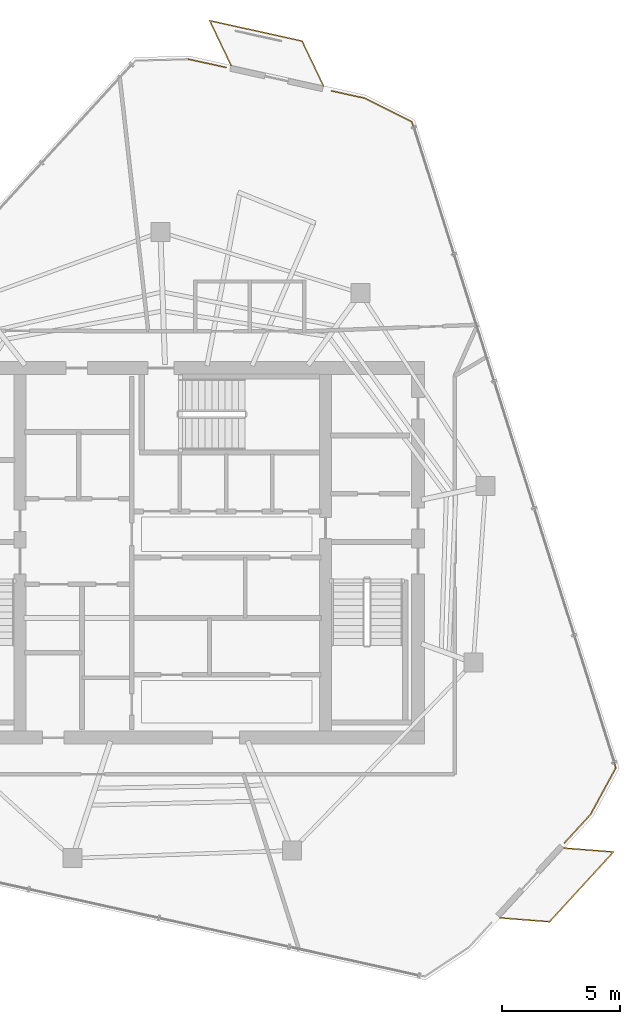
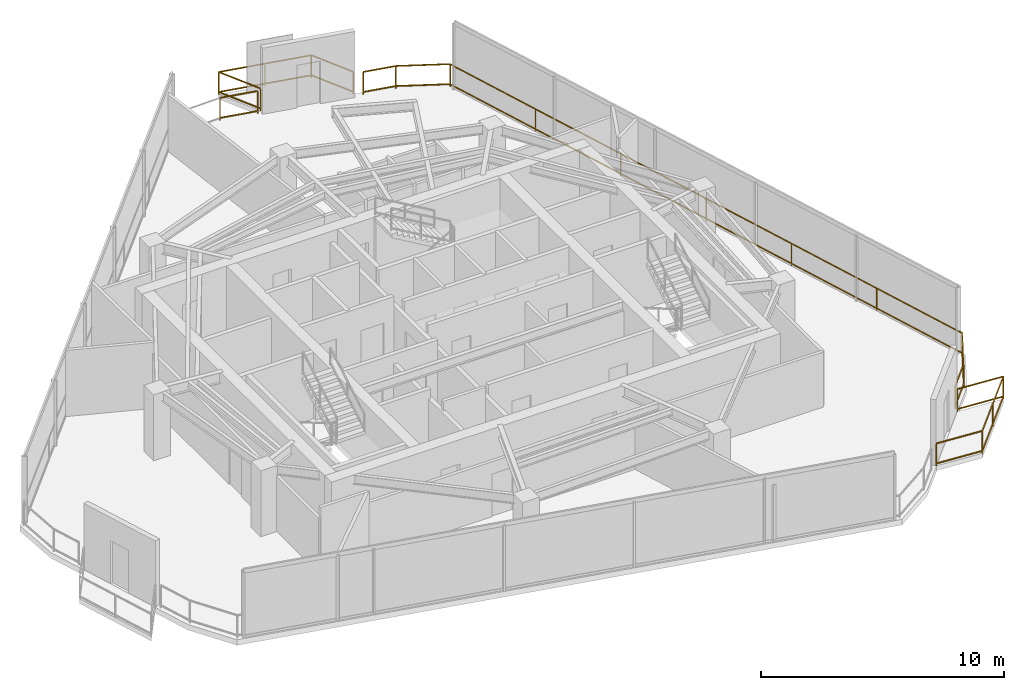
# One storey, part 18 of 18: 4 railings.
"""IFC4 building model written with IfcOpenShell, lengths in metres."""

from ifc_helpers import new_model, si_unit, direction, frame, origin, origin_2d, place, context, subcontext, project, spatial, rectangle, extrude, material, type_object, element, save


model = new_model("IFC4")

# Units and contexts
model_context = context("Model", 3, precision=1e-05, world=origin(), true_north=direction((0.0, 1.0)))
body_context = subcontext(model_context, "Body", "Model", "MODEL_VIEW")
ifc_project = project(units=[si_unit("LENGTHUNIT", "METRE"), si_unit("AREAUNIT", "SQUARE_METRE"), si_unit("VOLUMEUNIT", "CUBIC_METRE"), si_unit("PLANEANGLEUNIT", "RADIAN"), si_unit("MASSUNIT", "GRAM", prefix="KILO")], contexts=[model_context])

# Site, building, storey
site_placement = place(None, origin())
site = spatial("IfcSite", under=ifc_project, at=site_placement, CompositionType="ELEMENT")
building_placement = place(site_placement, origin())
building = spatial("IfcBuilding", under=site, at=building_placement, Name="Qarnah Convention Tower", CompositionType="ELEMENT")
storey_placement = place(building_placement, frame((0.0, 0.0, 246.300048828125)))
storey = spatial("IfcBuildingStorey", under=building, at=storey_placement, Name="L66", CompositionType="ELEMENT", Elevation=246.300048828125)

# Railings
ifc_material = material(Name="Black anodised aluminium", Category="aluminium")
railing_type = type_object("IfcRailingType", Name="RL-EXT-GUARD-1150", PredefinedType="GUARDRAIL", material=ifc_material)
railing_1_placement = place(storey_placement, frame((37.923095703125, 47.23388671875, 0.0)))
element("IfcRailing", 1, at=railing_1_placement, inside=storey, type_object=railing_type, Name="L66 slab-edge perimeter safety guard 01", PredefinedType="GUARDRAIL", context=body_context, shape_type="SweptSolid", body=[
    extrude(rectangle(XDim=0.048095703125, YDim=0.048095703125, at=origin_2d()), frame((0.0, 0.0, 1.1259765625), z_axis=(0.976339073973, -0.216245260373, 0.0), x_axis=(0.216245260373, 0.976339073973, 0.0)), (0.0, 0.0, 1.0), 1.622314453125),
    extrude(rectangle(XDim=0.048095703125, YDim=0.048095703125, at=origin_2d()), frame((0.0, 0.0, 0.1201171875), z_axis=(0.976339073973, -0.216245260373, 0.0), x_axis=(0.216245260373, 0.976339073973, 0.0)), (0.0, 0.0, 1.0), 1.622314453125),
    extrude(rectangle(XDim=0.0419921875, YDim=0.0419921875, at=origin_2d()), origin(), (0.0, 0.0, 1.0), 1.101806640625),
    extrude(rectangle(XDim=0.0419921875, YDim=0.0419921875, at=origin_2d()), frame((1.583984375, -0.350830078125, 0.0)), (0.0, 0.0, 1.0), 1.101806640625),
])
railing_2_placement = place(storey_placement, frame((43.95703125, 45.89697265625, 0.0)))
element("IfcRailing", 2, at=railing_2_placement, inside=storey, type_object=railing_type, Name="L66 slab-edge perimeter safety guard 02", PredefinedType="GUARDRAIL", context=body_context, shape_type="SweptSolid", body=[
    extrude(rectangle(XDim=0.048095703125, YDim=0.048095703125, at=origin_2d()), frame((0.0, 0.0, 1.1259765625), z_axis=(0.976410264442, -0.215923587161, 0.0), x_axis=(0.215923587161, 0.976410264442, 0.0)), (0.0, 0.0, 1.0), 1.412109375),
    extrude(rectangle(XDim=0.048095703125, YDim=0.048095703125, at=origin_2d()), frame((0.0, 0.0, 0.1201171875), z_axis=(0.976410264442, -0.215923587161, 0.0), x_axis=(0.215923587161, 0.976410264442, 0.0)), (0.0, 0.0, 1.0), 1.412109375),
    extrude(rectangle(XDim=0.048095703125, YDim=0.048095703125, at=origin_2d()), frame((1.37890625, -0.304931640625, 1.1259765625), z_axis=(0.895145726047, -0.445773629928, 0.0), x_axis=(0.445773629928, 0.895145726047, 0.0)), (0.0, 0.0, 1.0), 2.239013671875),
    extrude(rectangle(XDim=0.048095703125, YDim=0.048095703125, at=origin_2d()), frame((1.37890625, -0.304931640625, 0.1201171875), z_axis=(0.895145726047, -0.445773629928, 0.0), x_axis=(0.445773629928, 0.895145726047, 0.0)), (0.0, 0.0, 1.0), 2.239013671875),
    extrude(rectangle(XDim=0.048095703125, YDim=0.048095703125, at=origin_2d()), frame((3.383056640625, -1.302978515625, 1.1259765625), z_axis=(0.301065171221, -0.953603566834, 0.0), x_axis=(0.953603566834, 0.301065171221, 0.0)), (0.0, 0.0, 1.0), 28.5947265625),
    extrude(rectangle(XDim=0.048095703125, YDim=0.048095703125, at=origin_2d()), frame((3.383056640625, -1.302978515625, 0.1201171875), z_axis=(0.301065171221, -0.953603566834, 0.0), x_axis=(0.953603566834, 0.301065171221, 0.0)), (0.0, 0.0, 1.0), 28.5947265625),
    extrude(rectangle(XDim=0.048095703125, YDim=0.048095703125, at=origin_2d()), frame((11.991943359375, -28.571044921875, 1.1259765625), z_axis=(-0.476925824603, -0.878943546439, 0.0), x_axis=(0.878943546439, -0.476925824603, 0.0)), (0.0, 0.0, 1.0), 2.239013671875),
    extrude(rectangle(XDim=0.048095703125, YDim=0.048095703125, at=origin_2d()), frame((11.991943359375, -28.571044921875, 0.1201171875), z_axis=(-0.476925824603, -0.878943546439, 0.0), x_axis=(0.878943546439, -0.476925824603, 0.0)), (0.0, 0.0, 1.0), 2.239013671875),
    extrude(rectangle(XDim=0.048095703125, YDim=0.048095703125, at=origin_2d()), frame((10.924072265625, -30.5390625, 1.1259765625), z_axis=(-0.675391091725, -0.737459743456, 0.0), x_axis=(0.737459743456, -0.675391091725, 0.0)), (0.0, 0.0, 1.0), 1.62451171875),
    extrude(rectangle(XDim=0.048095703125, YDim=0.048095703125, at=origin_2d()), frame((10.924072265625, -30.5390625, 0.1201171875), z_axis=(-0.675391091725, -0.737459743456, 0.0), x_axis=(0.737459743456, -0.675391091725, 0.0)), (0.0, 0.0, 1.0), 1.62451171875),
    extrude(rectangle(XDim=0.0419921875, YDim=0.0419921875, at=origin_2d()), origin(), (0.0, 0.0, 1.0), 1.101806640625),
    extrude(rectangle(XDim=0.0419921875, YDim=0.0419921875, at=origin_2d()), frame((1.37890625, -0.304931640625, 0.0)), (0.0, 0.0, 1.0), 1.101806640625),
    extrude(rectangle(XDim=0.0419921875, YDim=0.0419921875, at=origin_2d()), frame((3.383056640625, -1.302978515625, 0.0)), (0.0, 0.0, 1.0), 1.101806640625),
    extrude(rectangle(XDim=0.0419921875, YDim=0.0419921875, at=origin_2d()), frame((4.81787109375, -5.84765625, 0.0)), (0.0, 0.0, 1.0), 1.101806640625),
    extrude(rectangle(XDim=0.0419921875, YDim=0.0419921875, at=origin_2d()), frame((6.252685546875, -10.392333984375, 0.0)), (0.0, 0.0, 1.0), 1.101806640625),
    extrude(rectangle(XDim=0.0419921875, YDim=0.0419921875, at=origin_2d()), frame((7.6875, -14.93701171875, 0.0)), (0.0, 0.0, 1.0), 1.101806640625),
    extrude(rectangle(XDim=0.0419921875, YDim=0.0419921875, at=origin_2d()), frame((9.122314453125, -19.481689453125, 0.0)), (0.0, 0.0, 1.0), 1.101806640625),
    extrude(rectangle(XDim=0.0419921875, YDim=0.0419921875, at=origin_2d()), frame((10.55712890625, -24.0263671875, 0.0)), (0.0, 0.0, 1.0), 1.101806640625),
    extrude(rectangle(XDim=0.0419921875, YDim=0.0419921875, at=origin_2d()), frame((11.991943359375, -28.571044921875, 0.0)), (0.0, 0.0, 1.0), 1.101806640625),
    extrude(rectangle(XDim=0.0419921875, YDim=0.0419921875, at=origin_2d()), frame((10.924072265625, -30.5390625, 0.0)), (0.0, 0.0, 1.0), 1.101806640625),
    extrude(rectangle(XDim=0.0419921875, YDim=0.0419921875, at=origin_2d()), frame((9.826904296875, -31.737060546875, 0.0)), (0.0, 0.0, 1.0), 1.101806640625),
])
railing_3_placement = place(storey_placement, frame((39.7060546875, 46.97705078125, 0.0)))
element("IfcRailing", 3, at=railing_3_placement, inside=storey, type_object=railing_type, Name="L66 balcony safety guard BAL-L66-C1", PredefinedType="GUARDRAIL", context=body_context, shape_type="SweptSolid", body=[
    extrude(rectangle(XDim=0.048095703125, YDim=0.048095703125, at=origin_2d()), frame((0.0, 0.0, 1.1259765625), z_axis=(-0.430951942588, 0.902374879515, 0.0), x_axis=(-0.902374879515, -0.430951942588, 0.0)), (0.0, 0.0, 1.0), 2.09326171875),
    extrude(rectangle(XDim=0.048095703125, YDim=0.048095703125, at=origin_2d()), frame((0.0, 0.0, 0.1201171875), z_axis=(-0.430951942588, 0.902374879515, 0.0), x_axis=(-0.902374879515, -0.430951942588, 0.0)), (0.0, 0.0, 1.0), 2.09326171875),
    extrude(rectangle(XDim=0.048095703125, YDim=0.048095703125, at=origin_2d()), frame((-0.902099609375, 1.888916015625, 1.1259765625), z_axis=(0.976386294002, -0.21603195339, 0.0), x_axis=(0.21603195339, 0.976386294002, 0.0)), (0.0, 0.0, 1.0), 3.99951171875),
    extrude(rectangle(XDim=0.048095703125, YDim=0.048095703125, at=origin_2d()), frame((-0.902099609375, 1.888916015625, 0.1201171875), z_axis=(0.976386294002, -0.21603195339, 0.0), x_axis=(0.21603195339, 0.976386294002, 0.0)), (0.0, 0.0, 1.0), 3.99951171875),
    extrude(rectangle(XDim=0.048095703125, YDim=0.048095703125, at=origin_2d()), frame((3.0029296875, 1.02490234375, 1.1259765625), z_axis=(0.430770588115, -0.902461467551, 0.0), x_axis=(0.902461467551, 0.430770588115, 0.0)), (0.0, 0.0, 1.0), 2.09423828125),
    extrude(rectangle(XDim=0.048095703125, YDim=0.048095703125, at=origin_2d()), frame((3.0029296875, 1.02490234375, 0.1201171875), z_axis=(0.430770588115, -0.902461467551, 0.0), x_axis=(0.902461467551, 0.430770588115, 0.0)), (0.0, 0.0, 1.0), 2.09423828125),
    extrude(rectangle(XDim=0.0419921875, YDim=0.0419921875, at=origin_2d()), origin(), (0.0, 0.0, 1.0), 1.101806640625),
    extrude(rectangle(XDim=0.0419921875, YDim=0.0419921875, at=origin_2d()), frame((-0.902099609375, 1.888916015625, 0.0)), (0.0, 0.0, 1.0), 1.101806640625),
    extrude(rectangle(XDim=0.0419921875, YDim=0.0419921875, at=origin_2d()), frame((1.05029296875, 1.45703125, 0.0)), (0.0, 0.0, 1.0), 1.101806640625),
    extrude(rectangle(XDim=0.0419921875, YDim=0.0419921875, at=origin_2d()), frame((3.0029296875, 1.02490234375, 0.0)), (0.0, 0.0, 1.0), 1.101806640625),
    extrude(rectangle(XDim=0.0419921875, YDim=0.0419921875, at=origin_2d()), frame((3.905029296875, -0.864990234375, 0.0)), (0.0, 0.0, 1.0), 1.101806640625),
])
railing_4_placement = place(storey_placement, frame((53.76708984375, 13.94091796875, 0.0)))
element("IfcRailing", 4, at=railing_4_placement, inside=storey, type_object=railing_type, Name="L66 balcony safety guard BAL-L66-C3", PredefinedType="GUARDRAIL", context=body_context, shape_type="SweptSolid", body=[
    extrude(rectangle(XDim=0.048095703125, YDim=0.048095703125, at=origin_2d()), frame((0.0, 0.0, 1.1259765625), z_axis=(0.996972316755, -0.077757312357, 0.0), x_axis=(0.077757312357, 0.996972316755, 0.0)), (0.0, 0.0, 1.0), 2.09423828125),
    extrude(rectangle(XDim=0.048095703125, YDim=0.048095703125, at=origin_2d()), frame((0.0, 0.0, 0.1201171875), z_axis=(0.996972316755, -0.077757312357, 0.0), x_axis=(0.077757312357, 0.996972316755, 0.0)), (0.0, 0.0, 1.0), 2.09423828125),
    extrude(rectangle(XDim=0.048095703125, YDim=0.048095703125, at=origin_2d()), frame((2.087890625, -0.162841796875, 1.1259765625), z_axis=(-0.675392938225, -0.737458052364, 0.0), x_axis=(0.737458052364, -0.675392938225, 0.0)), (0.0, 0.0, 1.0), 4.00048828125),
    extrude(rectangle(XDim=0.048095703125, YDim=0.048095703125, at=origin_2d()), frame((2.087890625, -0.162841796875, 0.1201171875), z_axis=(-0.675392938225, -0.737458052364, 0.0), x_axis=(0.737458052364, -0.675392938225, 0.0)), (0.0, 0.0, 1.0), 4.00048828125),
    extrude(rectangle(XDim=0.048095703125, YDim=0.048095703125, at=origin_2d()), frame((-0.614013671875, -3.113037109375, 1.1259765625), z_axis=(-0.996961150828, 0.077900344924, 0.0), x_axis=(-0.077900344924, -0.996961150828, 0.0)), (0.0, 0.0, 1.0), 2.093505859375),
    extrude(rectangle(XDim=0.048095703125, YDim=0.048095703125, at=origin_2d()), frame((-0.614013671875, -3.113037109375, 0.1201171875), z_axis=(-0.996961150828, 0.077900344924, 0.0), x_axis=(-0.077900344924, -0.996961150828, 0.0)), (0.0, 0.0, 1.0), 2.093505859375),
    extrude(rectangle(XDim=0.0419921875, YDim=0.0419921875, at=origin_2d()), origin(), (0.0, 0.0, 1.0), 1.101806640625),
    extrude(rectangle(XDim=0.0419921875, YDim=0.0419921875, at=origin_2d()), frame((2.087890625, -0.162841796875, 0.0)), (0.0, 0.0, 1.0), 1.101806640625),
    extrude(rectangle(XDim=0.0419921875, YDim=0.0419921875, at=origin_2d()), frame((0.73681640625, -1.637939453125, 0.0)), (0.0, 0.0, 1.0), 1.101806640625),
    extrude(rectangle(XDim=0.0419921875, YDim=0.0419921875, at=origin_2d()), frame((-0.614013671875, -3.113037109375, 0.0)), (0.0, 0.0, 1.0), 1.101806640625),
    extrude(rectangle(XDim=0.0419921875, YDim=0.0419921875, at=origin_2d()), frame((-2.701171875, -2.949951171875, 0.0)), (0.0, 0.0, 1.0), 1.101806640625),
])

save(model, "model.ifc")
